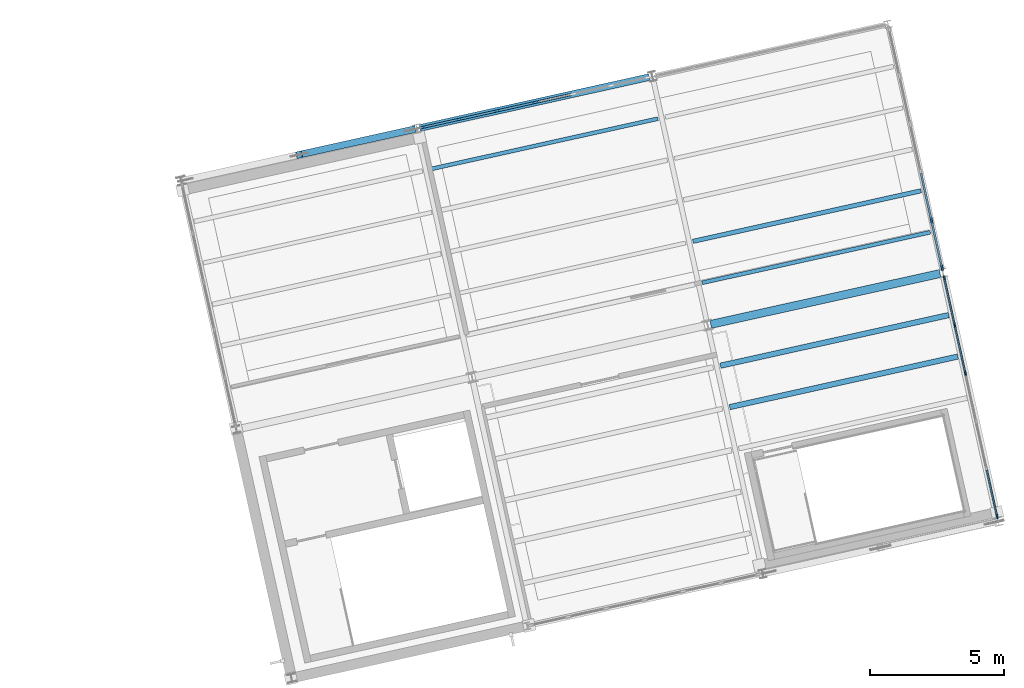
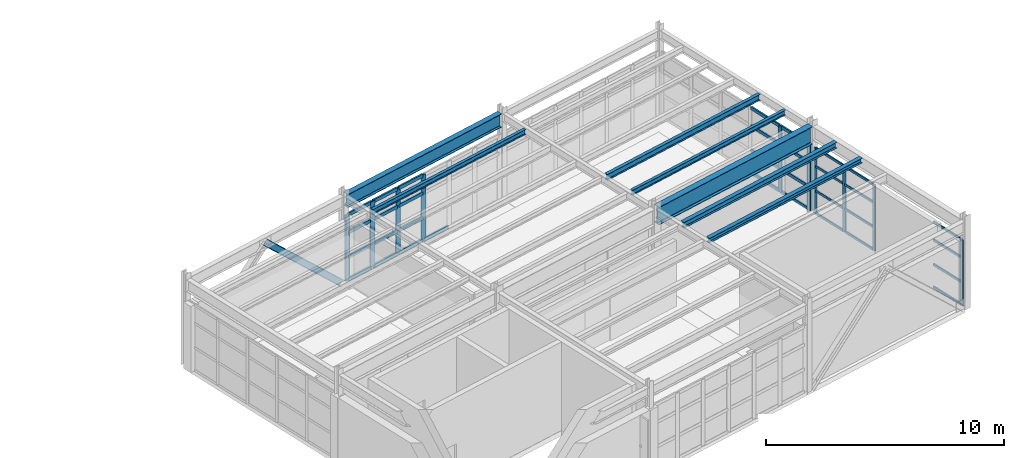
# One storey, part 30 of 59: 44 members, 7 beams, 3 elements without a shape of their own.
"""IFC4 building model written with IfcOpenShell, lengths in metres."""

from ifc_helpers import new_model, si_unit, direction, frame, origin, origin_2d, place, context, subcontext, project, spatial, rectangle, i_section, extrude, material, layer, layer_set, material_profile, profile_set, type_object, element, aggregate, save


model = new_model("IFC4")

# Units and contexts
model_context = context("Model", 3, precision=1e-05, world=origin(), true_north=direction((0.0, 1.0)))
body_context = subcontext(model_context, "Body", "Model", "MODEL_VIEW")
ifc_project = project(units=[si_unit("LENGTHUNIT", "METRE"), si_unit("AREAUNIT", "SQUARE_METRE"), si_unit("VOLUMEUNIT", "CUBIC_METRE"), si_unit("PLANEANGLEUNIT", "RADIAN"), si_unit("MASSUNIT", "GRAM", prefix="KILO")], contexts=[model_context])

# Site, building, storey
site_placement = place(None, origin())
site = spatial("IfcSite", under=ifc_project, at=site_placement, CompositionType="ELEMENT")
building_placement = place(site_placement, origin())
building = spatial("IfcBuilding", under=site, at=building_placement, Name="Vireo Bluff Cable Station", CompositionType="ELEMENT")
storey_placement = place(building_placement, frame((0.0, 0.0, 14.39990234375)))
storey = spatial("IfcBuildingStorey", under=building, at=storey_placement, Name="L03", CompositionType="ELEMENT", Elevation=14.39990234375)

# Member
ifc_material_1 = material(Name="Steel ASTM A992 Gr. 50", Category="steel")
ifc_material_profile_1 = material_profile(ifc_material_1, i_section(OverallWidth=0.25390625, OverallDepth=0.31005859375, WebThickness=0.009033203125, FlangeThickness=0.016357421875, FilletRadius=0.010986328125, at=origin_2d()), Name="W12X58")
ifc_profile_set_1 = profile_set([ifc_material_profile_1], Name="Steel ASTM A992 Gr. 50")
member_type_1 = type_object("IfcMemberType", Name="BRC-05", PredefinedType="BRACE", material=ifc_profile_set_1)
member_1_placement = place(storey_placement, frame((137.24853515625, 105.685791015625, 0.0400390625), z_axis=(-0.706412402312, -0.156627768603, 0.690253040531), x_axis=(0.216465840429, -0.976290192477, 0.0)))
element("IfcMember", 1, at=member_1_placement, inside=storey, type_object=member_type_1, Name="V2 L03 concentric brace 46R", PredefinedType="BRACE", context=body_context, shape_type="SweptSolid", body=[
    extrude(i_section(OverallWidth=0.25390625, OverallDepth=0.31005859375, WebThickness=0.009033203125, FlangeThickness=0.016357421875, FilletRadius=0.010986328125, at=origin_2d()), origin(), (0.0, 0.0, 1.0), 5.998046875),
])

# Curtain wall, members
ifc_material_2 = material(Name="Anodized Aluminium 6063-T6", Category="aluminium")
ifc_layer_1 = layer(ifc_material_2, 0.159912109375, Name="Anodized Aluminium 6063-T6")
ifc_layer_set_1 = layer_set([ifc_layer_1], Name="Anodized Aluminium 6063-T6")
curtain_wall_type_1 = type_object("IfcCurtainWallType", Name="CW-STICK-1850", PredefinedType="USERDEFINED", material=ifc_layer_set_1)
curtain_wall_1_placement = place(storey_placement, origin())
curtain_wall_1 = element("IfcCurtainWall", 2, at=curtain_wall_1_placement, inside=storey, type_object=curtain_wall_type_1, Name="V2 L03 east curtain wall CW-065", ObjectType="STICK CURTAIN WALL", PredefinedType="USERDEFINED")
ifc_material_profile_2 = material_profile(ifc_material_2, rectangle(XDim=0.074951171875, YDim=0.2099609375, at=origin_2d()), Name="ALU-M-75X210")
ifc_profile_set_2 = profile_set([ifc_material_profile_2], Name="Anodized Aluminium 6063-T6")
member_type_2 = type_object("IfcMemberType", Name="CWM-02", PredefinedType="MULLION", material=ifc_profile_set_2)
member_2_placement = place(storey_placement, frame((156.601318359375, 102.294921875, 0.0), z_axis=(0.0, 0.0, 1.0), x_axis=(0.97629601826, 0.216439563688, 0.0)))
member_2 = element("IfcMember", 3, at=member_2_placement, type_object=member_type_2, Name="CW-065 mullion 5", PredefinedType="MULLION", context=body_context, shape_type="SweptSolid", body=[
    extrude(rectangle(XDim=0.074951171875, YDim=0.2099609375, at=origin_2d()), origin(), (0.0, 0.0, 1.0), 3.400146484375),
])
member_3_placement = place(storey_placement, frame((156.99169921875, 100.53369140625, 0.0), z_axis=(0.0, 0.0, 1.0), x_axis=(0.97629601826, 0.216439563688, 0.0)))
member_3 = element("IfcMember", 4, at=member_3_placement, type_object=member_type_2, Name="CW-065 mullion 6", PredefinedType="MULLION", context=body_context, shape_type="SweptSolid", body=[
    extrude(rectangle(XDim=0.074951171875, YDim=0.2099609375, at=origin_2d()), origin(), (0.0, 0.0, 1.0), 3.400146484375),
])

ifc_layer_2 = layer(ifc_material_2, 0.159912109375, Name="Anodized Aluminium 6063-T6")
ifc_layer_set_2 = layer_set([ifc_layer_2], Name="Anodized Aluminium 6063-T6")
curtain_wall_type_2 = type_object("IfcCurtainWallType", Name="CW-STICK-1750", PredefinedType="USERDEFINED", material=ifc_layer_set_2)
curtain_wall_2_placement = place(storey_placement, origin())
curtain_wall_2 = element("IfcCurtainWall", 5, at=curtain_wall_2_placement, inside=storey, type_object=curtain_wall_type_2, Name="V2 L03 east curtain wall CW-066", ObjectType="STICK CURTAIN WALL", PredefinedType="USERDEFINED")
ifc_material_profile_3 = material_profile(ifc_material_2, rectangle(XDim=0.06005859375, YDim=0.159912109375, at=origin_2d()), Name="ALU-M-60X160")
ifc_profile_set_3 = profile_set([ifc_material_profile_3], Name="Anodized Aluminium 6063-T6")
member_type_3 = type_object("IfcMemberType", Name="CWM-03", PredefinedType="MULLION", material=ifc_profile_set_3)
member_4_placement = place(storey_placement, frame((157.075439453125, 100.156494140625, 0.0), z_axis=(0.0, 0.0, 1.0), x_axis=(0.976296011151, 0.216439595757, 0.0)))
member_4 = element("IfcMember", 6, at=member_4_placement, type_object=member_type_3, Name="CW-066 mullion 1", PredefinedType="MULLION", context=body_context, shape_type="SweptSolid", body=[
    extrude(rectangle(XDim=0.06005859375, YDim=0.159912109375, at=origin_2d()), origin(), (0.0, 0.0, 1.0), 3.400146484375),
])
member_5_placement = place(storey_placement, frame((157.46630859375, 98.39306640625, 0.0), z_axis=(0.0, 0.0, 1.0), x_axis=(0.976296011151, 0.216439595757, 0.0)))
member_5 = element("IfcMember", 7, at=member_5_placement, type_object=member_type_3, Name="CW-066 mullion 2", PredefinedType="MULLION", context=body_context, shape_type="SweptSolid", body=[
    extrude(rectangle(XDim=0.06005859375, YDim=0.159912109375, at=origin_2d()), origin(), (0.0, 0.0, 1.0), 3.400146484375),
])
member_6_placement = place(storey_placement, frame((157.86376953125, 96.600341796875, 0.0), z_axis=(0.0, 0.0, 1.0), x_axis=(0.976296011151, 0.216439595757, 0.0)))
member_6 = element("IfcMember", 8, at=member_6_placement, type_object=member_type_3, Name="CW-066 mullion 3", PredefinedType="MULLION", context=body_context, shape_type="SweptSolid", body=[
    extrude(rectangle(XDim=0.06005859375, YDim=0.159912109375, at=origin_2d()), origin(), (0.0, 0.0, 1.0), 3.400146484375),
])
member_7_placement = place(storey_placement, frame((159.049560546875, 91.251708984375, 0.0), z_axis=(0.0, 0.0, 1.0), x_axis=(0.976296011151, 0.216439595757, 0.0)))
member_7 = element("IfcMember", 9, at=member_7_placement, type_object=member_type_3, Name="CW-066 mullion 6", PredefinedType="MULLION", context=body_context, shape_type="SweptSolid", body=[
    extrude(rectangle(XDim=0.06005859375, YDim=0.159912109375, at=origin_2d()), origin(), (0.0, 0.0, 1.0), 3.400146484375),
])

ifc_layer_3 = layer(ifc_material_2, 0.179931640625, Name="Anodized Aluminium 6063-T6")
ifc_layer_set_3 = layer_set([ifc_layer_3], Name="Anodized Aluminium 6063-T6")
curtain_wall_type_3 = type_object("IfcCurtainWallType", Name="CW-UNIT-1400", PredefinedType="USERDEFINED", material=ifc_layer_set_3)
curtain_wall_3_placement = place(storey_placement, origin())
curtain_wall_3 = element("IfcCurtainWall", 10, at=curtain_wall_3_placement, inside=storey, type_object=curtain_wall_type_3, Name="V2 L03 north curtain wall CW-063", ObjectType="UNITISED CURTAIN WALL", PredefinedType="USERDEFINED")
ifc_material_profile_4 = material_profile(ifc_material_2, rectangle(XDim=0.080078125, YDim=0.239990234375, at=origin_2d()), Name="ALU-M-80X240")
ifc_profile_set_4 = profile_set([ifc_material_profile_4], Name="Anodized Aluminium 6063-T6")
member_type_4 = type_object("IfcMemberType", Name="CWM-04", PredefinedType="MULLION", material=ifc_profile_set_4)
member_8_placement = place(storey_placement, frame((137.595703125, 105.7626953125, 0.0), z_axis=(0.0, 0.0, 1.0), x_axis=(-0.216439560519, 0.976296018963, 0.0)))
member_8 = element("IfcMember", 11, at=member_8_placement, type_object=member_type_4, Name="CW-063 mullion 1", PredefinedType="MULLION", context=body_context, shape_type="SweptSolid", body=[
    extrude(rectangle(XDim=0.080078125, YDim=0.239990234375, at=origin_2d()), origin(), (0.0, 0.0, 1.0), 3.400146484375),
])
member_9_placement = place(storey_placement, frame((138.974853515625, 106.068359375, 0.0), z_axis=(0.0, 0.0, 1.0), x_axis=(-0.216439560519, 0.976296018963, 0.0)))
member_9 = element("IfcMember", 12, at=member_9_placement, type_object=member_type_4, Name="CW-063 mullion 2", PredefinedType="MULLION", context=body_context, shape_type="SweptSolid", body=[
    extrude(rectangle(XDim=0.080078125, YDim=0.239990234375, at=origin_2d()), origin(), (0.0, 0.0, 1.0), 3.400146484375),
])
member_10_placement = place(storey_placement, frame((140.392822265625, 106.3828125, 0.0), z_axis=(0.0, 0.0, 1.0), x_axis=(-0.216439560519, 0.976296018963, 0.0)))
member_10 = element("IfcMember", 13, at=member_10_placement, type_object=member_type_4, Name="CW-063 mullion 3", PredefinedType="MULLION", context=body_context, shape_type="SweptSolid", body=[
    extrude(rectangle(XDim=0.080078125, YDim=0.239990234375, at=origin_2d()), origin(), (0.0, 0.0, 1.0), 3.400146484375),
])
member_11_placement = place(storey_placement, frame((141.81103515625, 106.697265625, 0.0), z_axis=(0.0, 0.0, 1.0), x_axis=(-0.216439560519, 0.976296018963, 0.0)))
member_11 = element("IfcMember", 14, at=member_11_placement, type_object=member_type_4, Name="CW-063 mullion 4", PredefinedType="MULLION", context=body_context, shape_type="SweptSolid", body=[
    extrude(rectangle(XDim=0.080078125, YDim=0.239990234375, at=origin_2d()), origin(), (0.0, 0.0, 1.0), 3.400146484375),
])

# Member
ifc_material_profile_5 = material_profile(ifc_material_2, rectangle(XDim=0.074951171875, YDim=0.159912109375, at=origin_2d()), Name="ALU-T-75X160")
ifc_profile_set_5 = profile_set([ifc_material_profile_5], Name="Anodized Aluminium 6063-T6")
member_type_5 = type_object("IfcMemberType", Name="CWT-02", PredefinedType="USERDEFINED", material=ifc_profile_set_5)
member_12_placement = place(storey_placement, frame((156.2109375, 104.055908203125, 0.03759765625), z_axis=(0.21633033494, -0.976320227274, 0.0), x_axis=(0.976320227274, 0.21633033494, 0.0)))
member_12 = element("IfcMember", 15, at=member_12_placement, type_object=member_type_5, Name="CW-065 transom 4.1", ObjectType="TRANSOM", PredefinedType="USERDEFINED", context=body_context, shape_type="SweptSolid", body=[
    extrude(rectangle(XDim=0.074951171875, YDim=0.159912109375, at=origin_2d()), origin(), (0.0, 0.0, 1.0), 1.76611328125),
])

member_13_placement = place(storey_placement, frame((156.2109375, 104.055908203125, 1.190185546875), z_axis=(0.21633033494, -0.976320227274, 0.0), x_axis=(0.976320227274, 0.21633033494, 0.0)))
member_13 = element("IfcMember", 16, at=member_13_placement, type_object=member_type_5, Name="CW-065 transom 4.2", ObjectType="TRANSOM", PredefinedType="USERDEFINED", context=body_context, shape_type="SweptSolid", body=[
    extrude(rectangle(XDim=0.074951171875, YDim=0.159912109375, at=origin_2d()), origin(), (0.0, 0.0, 1.0), 1.76611328125),
])

member_14_placement = place(storey_placement, frame((156.2109375, 104.055908203125, 2.447998046875), z_axis=(0.21633033494, -0.976320227274, 0.0), x_axis=(0.976320227274, 0.21633033494, 0.0)))
member_14 = element("IfcMember", 17, at=member_14_placement, type_object=member_type_5, Name="CW-065 transom 4.3", ObjectType="TRANSOM", PredefinedType="USERDEFINED", context=body_context, shape_type="SweptSolid", body=[
    extrude(rectangle(XDim=0.074951171875, YDim=0.159912109375, at=origin_2d()), origin(), (0.0, 0.0, 1.0), 1.76611328125),
])

member_15_placement = place(storey_placement, frame((156.2109375, 104.055908203125, 3.362548828125), z_axis=(0.21633033494, -0.976320227274, 0.0), x_axis=(0.976320227274, 0.21633033494, 0.0)))
member_15 = element("IfcMember", 18, at=member_15_placement, type_object=member_type_5, Name="CW-065 transom 4.4", ObjectType="TRANSOM", PredefinedType="USERDEFINED", context=body_context, shape_type="SweptSolid", body=[
    extrude(rectangle(XDim=0.074951171875, YDim=0.159912109375, at=origin_2d()), origin(), (0.0, 0.0, 1.0), 1.76611328125),
])

member_16_placement = place(storey_placement, frame((156.609375, 102.25830078125, 0.03759765625), z_axis=(0.216466949396, -0.976289946593, 0.0), x_axis=(0.976289946593, 0.216466949396, 0.0)))
member_16 = element("IfcMember", 19, at=member_16_placement, type_object=member_type_5, Name="CW-065 transom 5.1", ObjectType="TRANSOM", PredefinedType="USERDEFINED", context=body_context, shape_type="SweptSolid", body=[
    extrude(rectangle(XDim=0.074951171875, YDim=0.159912109375, at=origin_2d()), origin(), (0.0, 0.0, 1.0), 1.72900390625),
])

member_17_placement = place(storey_placement, frame((156.609375, 102.25830078125, 1.190185546875), z_axis=(0.216466949396, -0.976289946593, 0.0), x_axis=(0.976289946593, 0.216466949396, 0.0)))
member_17 = element("IfcMember", 20, at=member_17_placement, type_object=member_type_5, Name="CW-065 transom 5.2", ObjectType="TRANSOM", PredefinedType="USERDEFINED", context=body_context, shape_type="SweptSolid", body=[
    extrude(rectangle(XDim=0.074951171875, YDim=0.159912109375, at=origin_2d()), origin(), (0.0, 0.0, 1.0), 1.72900390625),
])

member_18_placement = place(storey_placement, frame((156.609375, 102.25830078125, 2.447998046875), z_axis=(0.216466949396, -0.976289946593, 0.0), x_axis=(0.976289946593, 0.216466949396, 0.0)))
member_18 = element("IfcMember", 21, at=member_18_placement, type_object=member_type_5, Name="CW-065 transom 5.3", ObjectType="TRANSOM", PredefinedType="USERDEFINED", context=body_context, shape_type="SweptSolid", body=[
    extrude(rectangle(XDim=0.074951171875, YDim=0.159912109375, at=origin_2d()), origin(), (0.0, 0.0, 1.0), 1.72900390625),
])

member_19_placement = place(storey_placement, frame((156.609375, 102.25830078125, 3.362548828125), z_axis=(0.216466949396, -0.976289946593, 0.0), x_axis=(0.976289946593, 0.216466949396, 0.0)))
member_19 = element("IfcMember", 22, at=member_19_placement, type_object=member_type_5, Name="CW-065 transom 5.4", ObjectType="TRANSOM", PredefinedType="USERDEFINED", context=body_context, shape_type="SweptSolid", body=[
    extrude(rectangle(XDim=0.074951171875, YDim=0.159912109375, at=origin_2d()), origin(), (0.0, 0.0, 1.0), 1.72900390625),
])

aggregate(curtain_wall_1, [member_2, member_3, member_12, member_13, member_14, member_15, member_16, member_17, member_18, member_19])

ifc_material_profile_6 = material_profile(ifc_material_2, rectangle(XDim=0.06005859375, YDim=0.1201171875, at=origin_2d()), Name="ALU-T-60X120")
ifc_profile_set_6 = profile_set([ifc_material_profile_6], Name="Anodized Aluminium 6063-T6")
member_type_6 = type_object("IfcMemberType", Name="CWT-03", PredefinedType="USERDEFINED", material=ifc_profile_set_6)
member_20_placement = place(storey_placement, frame((157.081787109375, 100.127197265625, 0.030029296875), z_axis=(0.216427110124, -0.976298779065, 0.0), x_axis=(0.976298779065, 0.216427110124, 0.0)))
member_20 = element("IfcMember", 23, at=member_20_placement, type_object=member_type_6, Name="CW-066 transom 1.1", ObjectType="TRANSOM", PredefinedType="USERDEFINED", context=body_context, shape_type="SweptSolid", body=[
    extrude(rectangle(XDim=0.06005859375, YDim=0.1201171875, at=origin_2d()), origin(), (0.0, 0.0, 1.0), 1.746337890625),
])

member_21_placement = place(storey_placement, frame((157.081787109375, 100.127197265625, 1.190185546875), z_axis=(0.216427110124, -0.976298779065, 0.0), x_axis=(0.976298779065, 0.216427110124, 0.0)))
member_21 = element("IfcMember", 24, at=member_21_placement, type_object=member_type_6, Name="CW-066 transom 1.2", ObjectType="TRANSOM", PredefinedType="USERDEFINED", context=body_context, shape_type="SweptSolid", body=[
    extrude(rectangle(XDim=0.06005859375, YDim=0.1201171875, at=origin_2d()), origin(), (0.0, 0.0, 1.0), 1.746337890625),
])

member_22_placement = place(storey_placement, frame((157.081787109375, 100.127197265625, 2.447998046875), z_axis=(0.216427110124, -0.976298779065, 0.0), x_axis=(0.976298779065, 0.216427110124, 0.0)))
member_22 = element("IfcMember", 25, at=member_22_placement, type_object=member_type_6, Name="CW-066 transom 1.3", ObjectType="TRANSOM", PredefinedType="USERDEFINED", context=body_context, shape_type="SweptSolid", body=[
    extrude(rectangle(XDim=0.06005859375, YDim=0.1201171875, at=origin_2d()), origin(), (0.0, 0.0, 1.0), 1.746337890625),
])

member_23_placement = place(storey_placement, frame((157.081787109375, 100.127197265625, 3.3701171875), z_axis=(0.216427110124, -0.976298779065, 0.0), x_axis=(0.976298779065, 0.216427110124, 0.0)))
member_23 = element("IfcMember", 26, at=member_23_placement, type_object=member_type_6, Name="CW-066 transom 1.4", ObjectType="TRANSOM", PredefinedType="USERDEFINED", context=body_context, shape_type="SweptSolid", body=[
    extrude(rectangle(XDim=0.06005859375, YDim=0.1201171875, at=origin_2d()), origin(), (0.0, 0.0, 1.0), 1.746337890625),
])

member_24_placement = place(storey_placement, frame((157.47265625, 98.36376953125, 0.030029296875), z_axis=(0.216479284546, -0.976287211512, 0.0), x_axis=(0.976287211512, 0.216479284546, 0.0)))
member_24 = element("IfcMember", 27, at=member_24_placement, type_object=member_type_6, Name="CW-066 transom 2.1", ObjectType="TRANSOM", PredefinedType="USERDEFINED", context=body_context, shape_type="SweptSolid", body=[
    extrude(rectangle(XDim=0.06005859375, YDim=0.1201171875, at=origin_2d()), origin(), (0.0, 0.0, 1.0), 1.7763671875),
])

member_25_placement = place(storey_placement, frame((157.47265625, 98.36376953125, 1.190185546875), z_axis=(0.216479284546, -0.976287211512, 0.0), x_axis=(0.976287211512, 0.216479284546, 0.0)))
member_25 = element("IfcMember", 28, at=member_25_placement, type_object=member_type_6, Name="CW-066 transom 2.2", ObjectType="TRANSOM", PredefinedType="USERDEFINED", context=body_context, shape_type="SweptSolid", body=[
    extrude(rectangle(XDim=0.06005859375, YDim=0.1201171875, at=origin_2d()), origin(), (0.0, 0.0, 1.0), 1.7763671875),
])

member_26_placement = place(storey_placement, frame((157.47265625, 98.36376953125, 2.447998046875), z_axis=(0.216479284546, -0.976287211512, 0.0), x_axis=(0.976287211512, 0.216479284546, 0.0)))
member_26 = element("IfcMember", 29, at=member_26_placement, type_object=member_type_6, Name="CW-066 transom 2.3", ObjectType="TRANSOM", PredefinedType="USERDEFINED", context=body_context, shape_type="SweptSolid", body=[
    extrude(rectangle(XDim=0.06005859375, YDim=0.1201171875, at=origin_2d()), origin(), (0.0, 0.0, 1.0), 1.7763671875),
])

member_27_placement = place(storey_placement, frame((157.47265625, 98.36376953125, 3.3701171875), z_axis=(0.216479284546, -0.976287211512, 0.0), x_axis=(0.976287211512, 0.216479284546, 0.0)))
member_27 = element("IfcMember", 30, at=member_27_placement, type_object=member_type_6, Name="CW-066 transom 2.4", ObjectType="TRANSOM", PredefinedType="USERDEFINED", context=body_context, shape_type="SweptSolid", body=[
    extrude(rectangle(XDim=0.06005859375, YDim=0.1201171875, at=origin_2d()), origin(), (0.0, 0.0, 1.0), 1.7763671875),
])

member_28_placement = place(storey_placement, frame((158.6650390625, 92.98583984375, 0.030029296875), z_axis=(0.216427110124, -0.976298779065, 0.0), x_axis=(0.976298779065, 0.216427110124, 0.0)))
member_28 = element("IfcMember", 31, at=member_28_placement, type_object=member_type_6, Name="CW-066 transom 5.1", ObjectType="TRANSOM", PredefinedType="USERDEFINED", context=body_context, shape_type="SweptSolid", body=[
    extrude(rectangle(XDim=0.06005859375, YDim=0.1201171875, at=origin_2d()), origin(), (0.0, 0.0, 1.0), 1.746337890625),
])

member_29_placement = place(storey_placement, frame((158.6650390625, 92.98583984375, 1.190185546875), z_axis=(0.216427110124, -0.976298779065, 0.0), x_axis=(0.976298779065, 0.216427110124, 0.0)))
member_29 = element("IfcMember", 32, at=member_29_placement, type_object=member_type_6, Name="CW-066 transom 5.2", ObjectType="TRANSOM", PredefinedType="USERDEFINED", context=body_context, shape_type="SweptSolid", body=[
    extrude(rectangle(XDim=0.06005859375, YDim=0.1201171875, at=origin_2d()), origin(), (0.0, 0.0, 1.0), 1.746337890625),
])

member_30_placement = place(storey_placement, frame((158.6650390625, 92.98583984375, 2.447998046875), z_axis=(0.216427110124, -0.976298779065, 0.0), x_axis=(0.976298779065, 0.216427110124, 0.0)))
member_30 = element("IfcMember", 33, at=member_30_placement, type_object=member_type_6, Name="CW-066 transom 5.3", ObjectType="TRANSOM", PredefinedType="USERDEFINED", context=body_context, shape_type="SweptSolid", body=[
    extrude(rectangle(XDim=0.06005859375, YDim=0.1201171875, at=origin_2d()), origin(), (0.0, 0.0, 1.0), 1.746337890625),
])

member_31_placement = place(storey_placement, frame((158.6650390625, 92.98583984375, 3.3701171875), z_axis=(0.216427110124, -0.976298779065, 0.0), x_axis=(0.976298779065, 0.216427110124, 0.0)))
member_31 = element("IfcMember", 34, at=member_31_placement, type_object=member_type_6, Name="CW-066 transom 5.4", ObjectType="TRANSOM", PredefinedType="USERDEFINED", context=body_context, shape_type="SweptSolid", body=[
    extrude(rectangle(XDim=0.06005859375, YDim=0.1201171875, at=origin_2d()), origin(), (0.0, 0.0, 1.0), 1.746337890625),
])

aggregate(curtain_wall_2, [member_4, member_5, member_6, member_7, member_20, member_21, member_22, member_23, member_24, member_25, member_26, member_27, member_28, member_29, member_30, member_31])

ifc_material_profile_7 = material_profile(ifc_material_2, rectangle(XDim=0.080078125, YDim=0.175048828125, at=origin_2d()), Name="ALU-T-80X175")
ifc_profile_set_7 = profile_set([ifc_material_profile_7], Name="Anodized Aluminium 6063-T6")
member_type_7 = type_object("IfcMemberType", Name="CWT-04", PredefinedType="USERDEFINED", material=ifc_profile_set_7)
member_32_placement = place(storey_placement, frame((137.634765625, 105.771240234375, 0.0400390625), z_axis=(0.976273194894, 0.21654248759, 0.0), x_axis=(-0.21654248759, 0.976273194894, 0.0)))
member_32 = element("IfcMember", 35, at=member_32_placement, type_object=member_type_7, Name="CW-063 transom 1.1", ObjectType="TRANSOM", PredefinedType="USERDEFINED", context=body_context, shape_type="SweptSolid", body=[
    extrude(rectangle(XDim=0.080078125, YDim=0.175048828125, at=origin_2d()), origin(), (0.0, 0.0, 1.0), 1.332763671875),
])

member_33_placement = place(storey_placement, frame((137.634765625, 105.771240234375, 1.190185546875), z_axis=(0.976273194894, 0.21654248759, 0.0), x_axis=(-0.21654248759, 0.976273194894, 0.0)))
member_33 = element("IfcMember", 36, at=member_33_placement, type_object=member_type_7, Name="CW-063 transom 1.2", ObjectType="TRANSOM", PredefinedType="USERDEFINED", context=body_context, shape_type="SweptSolid", body=[
    extrude(rectangle(XDim=0.080078125, YDim=0.175048828125, at=origin_2d()), origin(), (0.0, 0.0, 1.0), 1.332763671875),
])

member_34_placement = place(storey_placement, frame((137.634765625, 105.771240234375, 2.447998046875), z_axis=(0.976273194894, 0.21654248759, 0.0), x_axis=(-0.21654248759, 0.976273194894, 0.0)))
member_34 = element("IfcMember", 37, at=member_34_placement, type_object=member_type_7, Name="CW-063 transom 1.3", ObjectType="TRANSOM", PredefinedType="USERDEFINED", context=body_context, shape_type="SweptSolid", body=[
    extrude(rectangle(XDim=0.080078125, YDim=0.175048828125, at=origin_2d()), origin(), (0.0, 0.0, 1.0), 1.332763671875),
])

member_35_placement = place(storey_placement, frame((137.634765625, 105.771240234375, 3.360107421875), z_axis=(0.976273194894, 0.21654248759, 0.0), x_axis=(-0.21654248759, 0.976273194894, 0.0)))
member_35 = element("IfcMember", 38, at=member_35_placement, type_object=member_type_7, Name="CW-063 transom 1.4", ObjectType="TRANSOM", PredefinedType="USERDEFINED", context=body_context, shape_type="SweptSolid", body=[
    extrude(rectangle(XDim=0.080078125, YDim=0.175048828125, at=origin_2d()), origin(), (0.0, 0.0, 1.0), 1.332763671875),
])

member_36_placement = place(storey_placement, frame((139.013916015625, 106.0771484375, 0.0400390625), z_axis=(0.976320823093, 0.216327645933, 0.0), x_axis=(-0.216327645933, 0.976320823093, 0.0)))
member_36 = element("IfcMember", 39, at=member_36_placement, type_object=member_type_7, Name="CW-063 transom 2.1", ObjectType="TRANSOM", PredefinedType="USERDEFINED", context=body_context, shape_type="SweptSolid", body=[
    extrude(rectangle(XDim=0.080078125, YDim=0.175048828125, at=origin_2d()), origin(), (0.0, 0.0, 1.0), 1.372314453125),
])

member_37_placement = place(storey_placement, frame((139.013916015625, 106.0771484375, 1.190185546875), z_axis=(0.976320823093, 0.216327645933, 0.0), x_axis=(-0.216327645933, 0.976320823093, 0.0)))
member_37 = element("IfcMember", 40, at=member_37_placement, type_object=member_type_7, Name="CW-063 transom 2.2", ObjectType="TRANSOM", PredefinedType="USERDEFINED", context=body_context, shape_type="SweptSolid", body=[
    extrude(rectangle(XDim=0.080078125, YDim=0.175048828125, at=origin_2d()), origin(), (0.0, 0.0, 1.0), 1.372314453125),
])

member_38_placement = place(storey_placement, frame((139.013916015625, 106.0771484375, 2.447998046875), z_axis=(0.976320823093, 0.216327645933, 0.0), x_axis=(-0.216327645933, 0.976320823093, 0.0)))
member_38 = element("IfcMember", 41, at=member_38_placement, type_object=member_type_7, Name="CW-063 transom 2.3", ObjectType="TRANSOM", PredefinedType="USERDEFINED", context=body_context, shape_type="SweptSolid", body=[
    extrude(rectangle(XDim=0.080078125, YDim=0.175048828125, at=origin_2d()), origin(), (0.0, 0.0, 1.0), 1.372314453125),
])

member_39_placement = place(storey_placement, frame((139.013916015625, 106.0771484375, 3.360107421875), z_axis=(0.976320823093, 0.216327645933, 0.0), x_axis=(-0.216327645933, 0.976320823093, 0.0)))
member_39 = element("IfcMember", 42, at=member_39_placement, type_object=member_type_7, Name="CW-063 transom 2.4", ObjectType="TRANSOM", PredefinedType="USERDEFINED", context=body_context, shape_type="SweptSolid", body=[
    extrude(rectangle(XDim=0.080078125, YDim=0.175048828125, at=origin_2d()), origin(), (0.0, 0.0, 1.0), 1.372314453125),
])

member_40_placement = place(storey_placement, frame((140.431884765625, 106.391357421875, 0.0400390625), z_axis=(0.976291572109, 0.21645961801, 0.0), x_axis=(-0.21645961801, 0.976291572109, 0.0)))
member_40 = element("IfcMember", 43, at=member_40_placement, type_object=member_type_7, Name="CW-063 transom 3.1", ObjectType="TRANSOM", PredefinedType="USERDEFINED", context=body_context, shape_type="SweptSolid", body=[
    extrude(rectangle(XDim=0.080078125, YDim=0.175048828125, at=origin_2d()), origin(), (0.0, 0.0, 1.0), 1.37255859375),
])

member_41_placement = place(storey_placement, frame((140.431884765625, 106.391357421875, 1.190185546875), z_axis=(0.976291572109, 0.21645961801, 0.0), x_axis=(-0.21645961801, 0.976291572109, 0.0)))
member_41 = element("IfcMember", 44, at=member_41_placement, type_object=member_type_7, Name="CW-063 transom 3.2", ObjectType="TRANSOM", PredefinedType="USERDEFINED", context=body_context, shape_type="SweptSolid", body=[
    extrude(rectangle(XDim=0.080078125, YDim=0.175048828125, at=origin_2d()), origin(), (0.0, 0.0, 1.0), 1.37255859375),
])

member_42_placement = place(storey_placement, frame((140.431884765625, 106.391357421875, 2.447998046875), z_axis=(0.976291572109, 0.21645961801, 0.0), x_axis=(-0.21645961801, 0.976291572109, 0.0)))
member_42 = element("IfcMember", 45, at=member_42_placement, type_object=member_type_7, Name="CW-063 transom 3.3", ObjectType="TRANSOM", PredefinedType="USERDEFINED", context=body_context, shape_type="SweptSolid", body=[
    extrude(rectangle(XDim=0.080078125, YDim=0.175048828125, at=origin_2d()), origin(), (0.0, 0.0, 1.0), 1.37255859375),
])

member_43_placement = place(storey_placement, frame((140.431884765625, 106.391357421875, 3.360107421875), z_axis=(0.976291572109, 0.21645961801, 0.0), x_axis=(-0.21645961801, 0.976291572109, 0.0)))
member_43 = element("IfcMember", 46, at=member_43_placement, type_object=member_type_7, Name="CW-063 transom 3.4", ObjectType="TRANSOM", PredefinedType="USERDEFINED", context=body_context, shape_type="SweptSolid", body=[
    extrude(rectangle(XDim=0.080078125, YDim=0.175048828125, at=origin_2d()), origin(), (0.0, 0.0, 1.0), 1.37255859375),
])

member_44_placement = place(storey_placement, frame((141.85009765625, 106.705810546875, 0.0400390625), z_axis=(0.976291572109, 0.21645961801, 0.0), x_axis=(-0.21645961801, 0.976291572109, 0.0)))
member_44 = element("IfcMember", 47, at=member_44_placement, type_object=member_type_7, Name="CW-063 transom 4.1", ObjectType="TRANSOM", PredefinedType="USERDEFINED", context=body_context, shape_type="SweptSolid", body=[
    extrude(rectangle(XDim=0.080078125, YDim=0.175048828125, at=origin_2d()), origin(), (0.0, 0.0, 1.0), 1.37255859375),
])

aggregate(curtain_wall_3, [member_8, member_9, member_10, member_11, member_32, member_33, member_34, member_35, member_36, member_37, member_38, member_39, member_40, member_41, member_42, member_43, member_44])

# Beams
ifc_material_profile_8 = material_profile(ifc_material_1, i_section(OverallWidth=0.303955078125, OverallDepth=0.912109375, WebThickness=0.015869140625, FlangeThickness=0.02392578125, FilletRadius=0.02001953125, at=origin_2d()), Name="W36X150")
ifc_profile_set_8 = profile_set([ifc_material_profile_8], Name="Steel ASTM A992 Gr. 50")
beam_type_1 = type_object("IfcBeamType", Name="GIR-W36X150", PredefinedType="USERDEFINED", material=ifc_profile_set_8)
beam_1_placement = place(storey_placement, frame((148.36474609375, 98.41943359375, 4.044189453125), z_axis=(0.97629710087, 0.216434680293, 0.0), x_axis=(-0.216434680293, 0.97629710087, 0.0)))
element("IfcBeam", 48, at=beam_1_placement, inside=storey, type_object=beam_type_1, Name="V2 L03 girder 569", ObjectType="GIRDER", PredefinedType="USERDEFINED", context=body_context, shape_type="SweptSolid", body=[
    extrude(i_section(OverallWidth=0.303955078125, OverallDepth=0.912109375, WebThickness=0.015869140625, FlangeThickness=0.02392578125, FilletRadius=0.02001953125, at=origin_2d()), origin(), (0.0, 0.0, 1.0), 8.760009765625),
])
ifc_material_profile_9 = material_profile(ifc_material_1, i_section(OverallWidth=0.14599609375, OverallDepth=0.259033203125, WebThickness=0.006103515625, FlangeThickness=0.009033203125, FilletRadius=0.009033203125, at=origin_2d()), Name="W10X22")
ifc_profile_set_9 = profile_set([ifc_material_profile_9], Name="Steel ASTM A992 Gr. 50")
beam_type_2 = type_object("IfcBeamType", Name="JST-W10X22", PredefinedType="JOIST", material=ifc_profile_set_9)
beam_2_placement = place(storey_placement, frame((137.88427734375, 104.204833984375, 4.37060546875), z_axis=(0.976293006815, 0.216453146994, 0.0), x_axis=(-0.216453146994, 0.976293006815, 0.0)))
element("IfcBeam", 49, at=beam_2_placement, inside=storey, type_object=beam_type_2, Name="V2 L03 composite joist 595", PredefinedType="JOIST", context=body_context, shape_type="SweptSolid", body=[
    extrude(i_section(OverallWidth=0.14599609375, OverallDepth=0.259033203125, WebThickness=0.006103515625, FlangeThickness=0.009033203125, FilletRadius=0.009033203125, at=origin_2d()), origin(), (0.0, 0.0, 1.0), 8.719970703125),
])
beam_3_placement = place(storey_placement, frame((148.04150390625, 99.969482421875, 4.37060546875), z_axis=(0.976294318526, 0.216447230551, 0.0), x_axis=(-0.216447230551, 0.976294318526, 0.0)))
element("IfcBeam", 50, at=beam_3_placement, inside=storey, type_object=beam_type_2, Name="V2 L03 composite joist 599", PredefinedType="JOIST", context=body_context, shape_type="SweptSolid", body=[
    extrude(i_section(OverallWidth=0.14599609375, OverallDepth=0.259033203125, WebThickness=0.006103515625, FlangeThickness=0.009033203125, FilletRadius=0.009033203125, at=origin_2d()), origin(), (0.0, 0.0, 1.0), 8.72021484375),
])
ifc_material_profile_10 = material_profile(ifc_material_1, i_section(OverallWidth=0.201904296875, OverallDepth=0.2470703125, WebThickness=0.00732421875, FlangeThickness=0.010986328125, FilletRadius=0.009033203125, at=origin_2d()), Name="W10X33")
ifc_profile_set_10 = profile_set([ifc_material_profile_10], Name="Steel ASTM A992 Gr. 50")
beam_type_3 = type_object("IfcBeamType", Name="JST-W10X33", PredefinedType="JOIST", material=ifc_profile_set_10)
beam_4_placement = place(storey_placement, frame((149.06982421875, 95.332275390625, 4.376708984375), z_axis=(0.976298923088, 0.216426460438, 0.0), x_axis=(-0.216426460438, 0.976298923088, 0.0)))
element("IfcBeam", 51, at=beam_4_placement, inside=storey, type_object=beam_type_3, Name="V2 L03 composite joist 597", PredefinedType="JOIST", context=body_context, shape_type="SweptSolid", body=[
    extrude(i_section(OverallWidth=0.201904296875, OverallDepth=0.2470703125, WebThickness=0.00732421875, FlangeThickness=0.010986328125, FilletRadius=0.009033203125, at=origin_2d()), origin(), (0.0, 0.0, 1.0), 8.719970703125),
])
ifc_material_profile_11 = material_profile(ifc_material_1, i_section(OverallWidth=0.1650390625, OverallDepth=0.31005859375, WebThickness=0.005859375, FlangeThickness=0.009765625, FilletRadius=0.010009765625, at=origin_2d()), Name="W12X26")
ifc_profile_set_11 = profile_set([ifc_material_profile_11], Name="Steel ASTM A992 Gr. 50")
beam_type_4 = type_object("IfcBeamType", Name="JST-W12X26", PredefinedType="JOIST", material=ifc_profile_set_11)
beam_5_placement = place(storey_placement, frame((147.698974609375, 101.515380859375, 4.34521484375), z_axis=(0.976293006815, 0.216453146994, 0.0), x_axis=(-0.216453146994, 0.976293006815, 0.0)))
element("IfcBeam", 52, at=beam_5_placement, inside=storey, type_object=beam_type_4, Name="V2 L03 composite joist 600", PredefinedType="JOIST", context=body_context, shape_type="SweptSolid", body=[
    extrude(i_section(OverallWidth=0.1650390625, OverallDepth=0.31005859375, WebThickness=0.005859375, FlangeThickness=0.009765625, FilletRadius=0.010009765625, at=origin_2d()), origin(), (0.0, 0.0, 1.0), 8.719970703125),
])
ifc_material_profile_12 = material_profile(ifc_material_1, i_section(OverallWidth=0.202880859375, OverallDepth=0.302978515625, WebThickness=0.007568359375, FlangeThickness=0.01318359375, FilletRadius=0.010009765625, at=origin_2d()), Name="W12X40")
ifc_profile_set_12 = profile_set([ifc_material_profile_12], Name="Steel ASTM A992 Gr. 50")
beam_type_5 = type_object("IfcBeamType", Name="JST-W12X40", PredefinedType="JOIST", material=ifc_profile_set_12)
beam_6_placement = place(storey_placement, frame((148.72705078125, 96.8779296875, 4.3486328125), z_axis=(0.976293006815, 0.216453146994, 0.0), x_axis=(-0.216453146994, 0.976293006815, 0.0)))
element("IfcBeam", 53, at=beam_6_placement, inside=storey, type_object=beam_type_5, Name="V2 L03 composite joist 598", PredefinedType="JOIST", context=body_context, shape_type="SweptSolid", body=[
    extrude(i_section(OverallWidth=0.202880859375, OverallDepth=0.302978515625, WebThickness=0.007568359375, FlangeThickness=0.01318359375, FilletRadius=0.010009765625, at=origin_2d()), origin(), (0.0, 0.0, 1.0), 8.719970703125),
])
ifc_material_profile_13 = material_profile(ifc_material_1, i_section(OverallWidth=0.257080078125, OverallDepth=0.693115234375, WebThickness=0.014404296875, FlangeThickness=0.023681640625, FilletRadius=0.014892578125, at=origin_2d()), Name="W27X114")
ifc_profile_set_13 = profile_set([ifc_material_profile_13], Name="Steel ASTM A992 Gr. 50")
beam_type_6 = type_object("IfcBeamType", Name="SPN-W27X114", PredefinedType="SPANDREL", material=ifc_profile_set_13)
beam_7_placement = place(storey_placement, frame((137.52197265625, 105.746337890625, 4.153564453125), z_axis=(0.976295795297, 0.216440569406, 0.0), x_axis=(-0.216440569406, 0.976295795297, 0.0)))
element("IfcBeam", 54, at=beam_7_placement, inside=storey, type_object=beam_type_6, Name="V2 L03 spandrel 571", PredefinedType="SPANDREL", context=body_context, shape_type="SweptSolid", body=[
    extrude(i_section(OverallWidth=0.257080078125, OverallDepth=0.693115234375, WebThickness=0.014404296875, FlangeThickness=0.023681640625, FilletRadius=0.014892578125, at=origin_2d()), origin(), (0.0, 0.0, 1.0), 8.760009765625),
])

save(model, "model.ifc")
